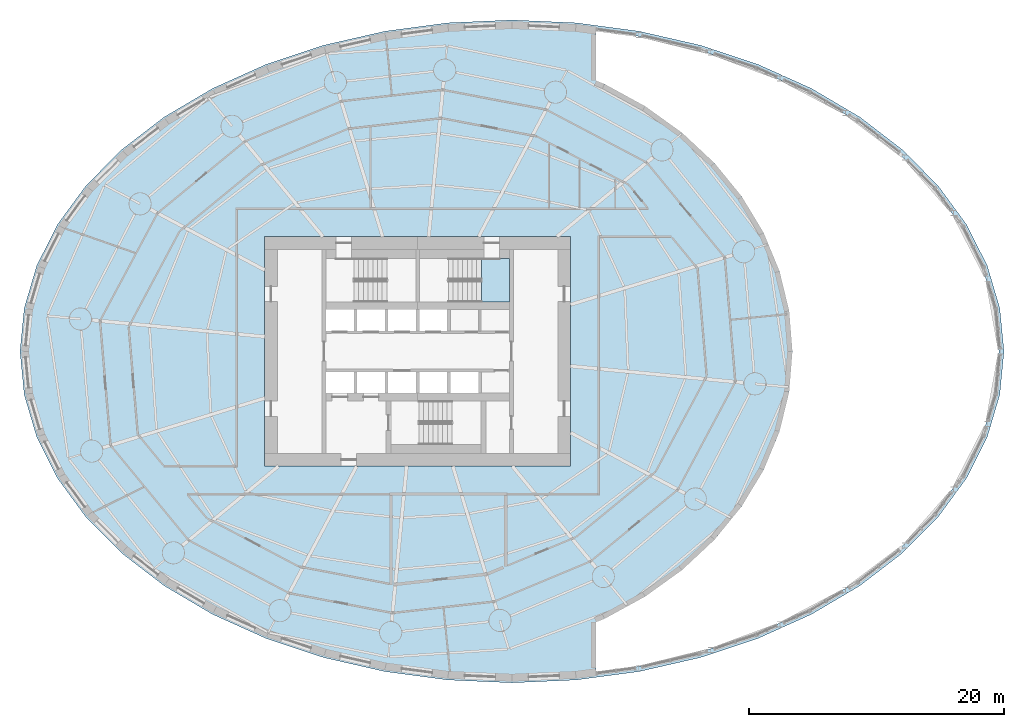
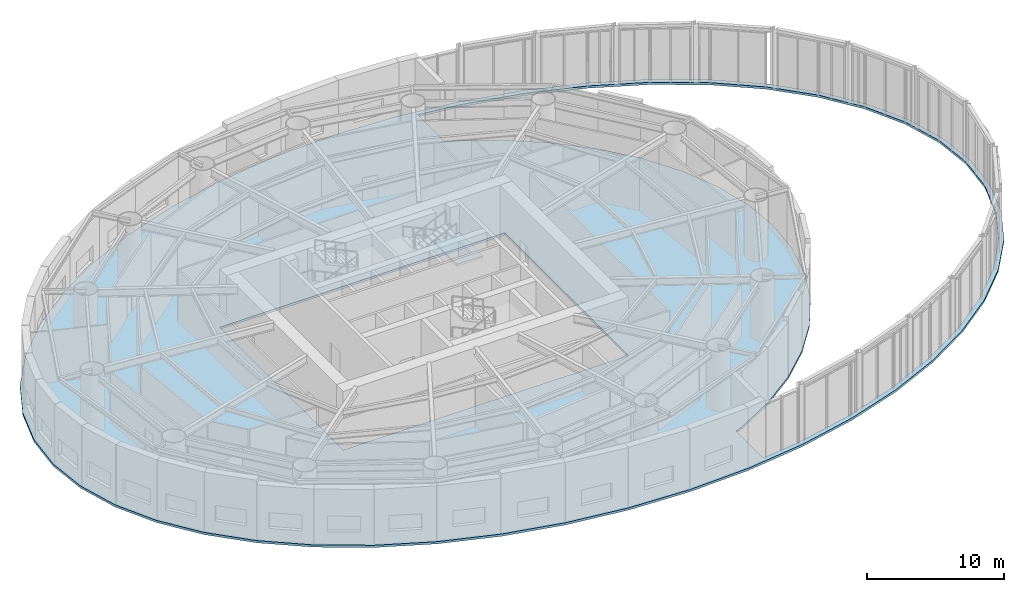
# One storey, part 11 of 19: 2 slabs, 1 element without a shape of its own.
"""IFC4 building model written with IfcOpenShell, lengths in metres."""

from ifc_helpers import new_model, si_unit, direction, frame, origin, place, context, subcontext, project, spatial, polyline, outline, extrude, material, layer, layer_set, type_object, element, aggregate, save


model = new_model("IFC4")

# Units and contexts
model_context = context("Model", 3, precision=1e-05, world=origin(), true_north=direction((0.0, 1.0)))
body_context = subcontext(model_context, "Body", "Model", "MODEL_VIEW")
ifc_project = project(units=[si_unit("LENGTHUNIT", "METRE"), si_unit("AREAUNIT", "SQUARE_METRE"), si_unit("VOLUMEUNIT", "CUBIC_METRE"), si_unit("PLANEANGLEUNIT", "RADIAN"), si_unit("MASSUNIT", "GRAM", prefix="KILO")], contexts=[model_context])

# Site, building, storey
site_placement = place(None, origin())
site = spatial("IfcSite", under=ifc_project, at=site_placement, CompositionType="ELEMENT")
building_placement = place(site_placement, origin())
building = spatial("IfcBuilding", under=site, at=building_placement, Name="Vermilion Reach Broadcast Tower", CompositionType="ELEMENT")
storey_placement = place(building_placement, frame((0.0, 0.0, 26.0)))
storey = spatial("IfcBuildingStorey", under=building, at=storey_placement, Name="L03", CompositionType="ELEMENT", Elevation=26.0)

# Stair, slab
ifc_material_1 = material(Name="Concrete C40", Category="concrete")
stair_type = type_object("IfcStairType", Name="Exit stair RC 32 risers 172 mm", PredefinedType="HALF_TURN_STAIR", material=ifc_material_1)
stair_placement = place(storey_placement, origin())
stair = element("IfcStair", 1, at=stair_placement, inside=storey, type_object=stair_type, Name="L03 Exit stair ST2", PredefinedType="HALF_TURN_STAIR")
ifc_material_2 = material(Name="Concrete C40", Category="concrete")
ifc_layer_1 = layer(ifc_material_2, 0.199951171875)
ifc_layer_set_1 = layer_set([ifc_layer_1], Name="Exit stair landing Concrete C40")
slab_type_1 = type_object("IfcSlabType", Name="Exit stair landing Concrete C40", PredefinedType="LANDING", material=ifc_layer_set_1)
slab_1_placement = place(storey_placement, frame((0.0, 0.0, 2.550048828125)))
slab_1 = element("IfcSlab", 2, at=slab_1_placement, type_object=slab_type_1, Name="ST2 landing 2", PredefinedType="LANDING", context=body_context, shape_type="SweptSolid", body=[
    extrude(outline(polyline([(1.199951171875, 7.300048828125), (-1.0, 7.300048828125), (-1.0, 3.8798828125), (1.199951171875, 3.8798828125), (1.199951171875, 7.300048828125)])), origin(), (0.0, 0.0, 1.0), 0.199951171875),
])
aggregate(stair, [slab_1])

# Slab
ifc_material_3 = material(Name="Concrete C40", Category="concrete")
ifc_layer_2 = layer(ifc_material_3, 0.199951171875)
ifc_layer_set_2 = layer_set([ifc_layer_2], Name="Floor slab Concrete C40 200")
slab_type_2 = type_object("IfcSlabType", Name="Floor slab Concrete C40 200", PredefinedType="FLOOR", material=ifc_layer_set_2)
slab_2_placement = place(storey_placement, frame((0.0, 0.0, -0.199951171875)))
element("IfcSlab", 3, at=slab_2_placement, inside=storey, type_object=slab_type_2, Name="Floor slab L03", PredefinedType="FLOOR", context=body_context, shape_type="SweptSolid", body=[
    extrude(outline(polyline([(40.0, 0.0), (39.669677734375, 3.393798828125), (38.684814453125, 6.729248046875), (37.061767578125, 9.94970703125), (34.82861328125, 13.0), (32.0234375, 15.827880859375), (28.6943359375, 18.384765625), (24.898193359375, 20.627197265625), (20.699951171875, 22.5166015625), (16.171630859375, 24.020751953125), (11.390380859375, 25.114013671875), (6.438232421875, 25.777587890625), (1.39990234375, 26.0), (-3.638427734375, 25.777587890625), (-8.59033203125, 25.114013671875), (-13.37158203125, 24.020751953125), (-17.89990234375, 22.5166015625), (-22.09814453125, 20.627197265625), (-25.894287109375, 18.384765625), (-29.223388671875, 15.827880859375), (-32.028564453125, 13.0), (-34.26171875, 9.94970703125), (-35.884765625, 6.729248046875), (-36.869873046875, 3.393798828125), (-37.199951171875, 0.0), (-36.869873046875, -3.393798828125), (-35.884765625, -6.729248046875), (-34.26171875, -9.94970703125), (-32.028564453125, -13.0), (-29.223388671875, -15.827880859375), (-25.894287109375, -18.384765625), (-22.09814453125, -20.627197265625), (-17.89990234375, -22.5166015625), (-13.37158203125, -24.020751953125), (-8.59033203125, -25.114013671875), (-3.638427734375, -25.777587890625), (1.39990234375, -26.0), (6.438232421875, -25.777587890625), (11.390380859375, -25.114013671875), (16.171630859375, -24.020751953125), (20.699951171875, -22.5166015625), (24.898193359375, -20.627197265625), (28.6943359375, -18.384765625), (32.0234375, -15.827880859375), (34.82861328125, -13.0), (37.061767578125, -9.94970703125), (38.684814453125, -6.729248046875), (39.669677734375, -3.393798828125), (40.0, 0.0)]), holes=[polyline([(8.0, 25.1650390625), (8.0, 21.245849609375), (8.656494140625, 20.98046875), (11.851806640625, 19.23095703125), (14.744873046875, 17.15185546875), (17.28662109375, 14.77685546875), (19.43212890625, 12.1455078125), (21.143310546875, 9.302001953125), (22.388916015625, 6.294677734375), (23.14599609375, 3.175537109375), (23.39990234375, 0.0), (23.14599609375, -3.175537109375), (22.388916015625, -6.294677734375), (21.143310546875, -9.302001953125), (19.43212890625, -12.1455078125), (17.28662109375, -14.77685546875), (14.744873046875, -17.15185546875), (11.851806640625, -19.23095703125), (8.656494140625, -20.98046875), (8.0, -21.245849609375), (8.0, -25.1650390625), (11.3193359375, -24.720458984375), (16.06396484375, -23.635498046875), (20.554931640625, -22.143798828125), (24.714599609375, -20.271728515625), (28.470947265625, -18.052978515625), (31.759521484375, -15.527099609375), (34.52490234375, -12.73974609375), (36.720947265625, -9.740234375), (38.31298828125, -6.58154296875), (39.277099609375, -3.31689453125), (39.60009765625, 0.0), (39.277099609375, 3.31689453125), (38.31298828125, 6.58154296875), (36.720947265625, 9.740234375), (34.52490234375, 12.73974609375), (31.759521484375, 15.527099609375), (28.470947265625, 18.052978515625), (24.714599609375, 20.271728515625), (20.554931640625, 22.143798828125), (16.06396484375, 23.635498046875), (11.3193359375, 24.720458984375), (8.0, 25.1650390625)]), polyline([(-18.0, -9.0), (6.0, -9.0), (6.0, 9.0), (-18.0, 9.0), (-18.0, -9.0)])]), origin(), (0.0, 0.0, 1.0), 0.199951171875),
])

save(model, "model.ifc")
